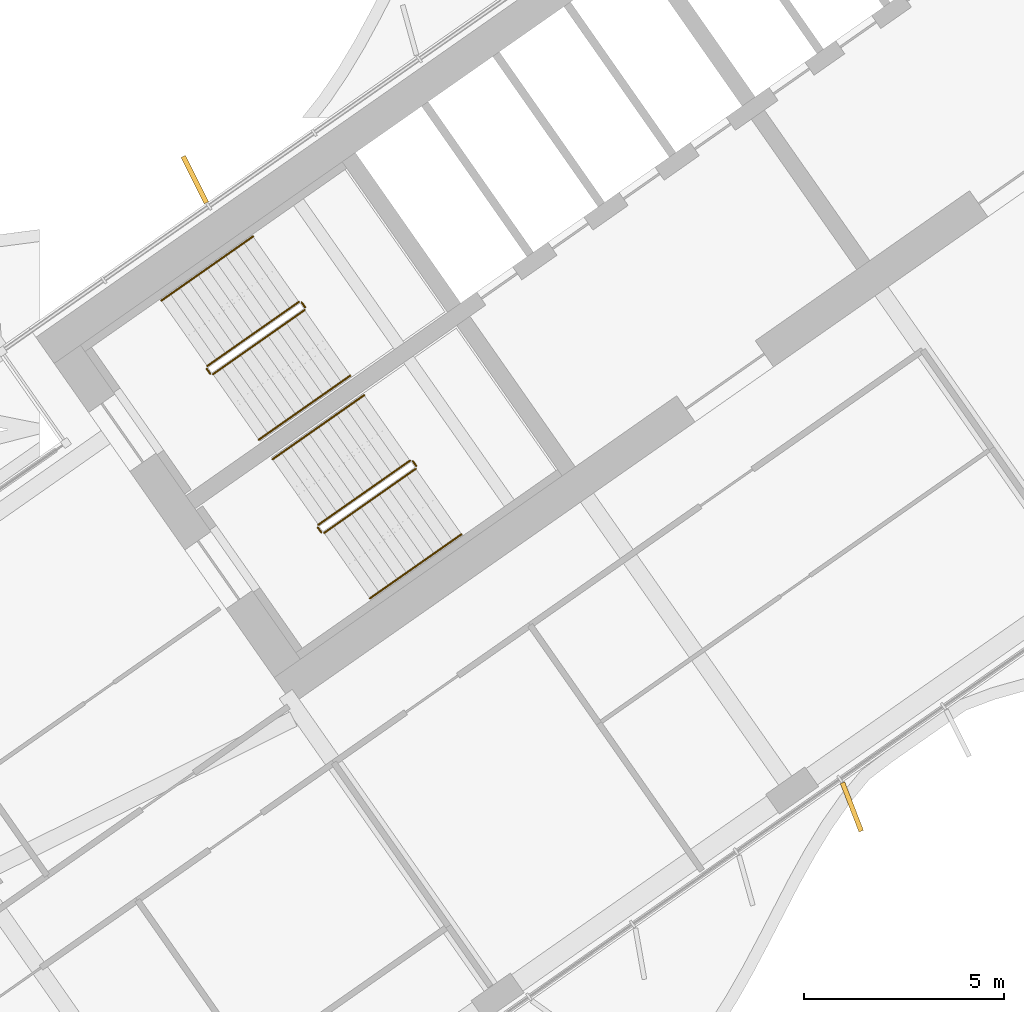
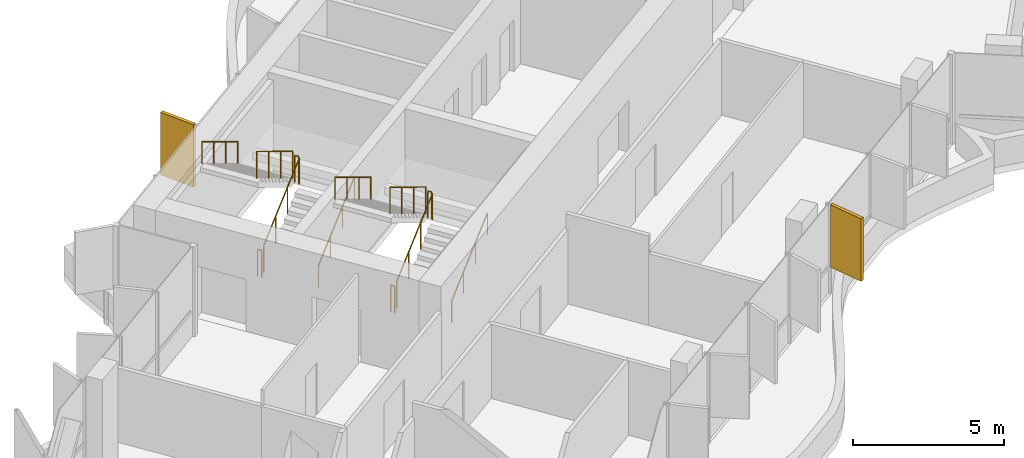
# One storey, part 18 of 21: 12 railings, 2 shading devices.
"""IFC4 building model written with IfcOpenShell, lengths in metres."""

import ifcopenshell
import ifcopenshell.guid

model = None  # the IFC model being written
_history = None  # IfcOwnerHistory: only IFC2X3 demands one
_inside = {}  # id of a spatial element -> (the spatial element, [elements in it])
_under = {}  # id of a project, library or spatial element -> (it, [spatial elements below it])
_declared = {}  # id of a project -> (the project, [libraries it declares])
_typed = {}  # id of a type object -> (the type object, [elements of that type])
_made_of = {}  # id of a material, layer set ... -> (it, [elements and type objects made of it])


def new_model(schema):
    """Start an empty IFC model of exactly this schema.

    Asked for "IFC4X3", IfcOpenShell would pick the latest addendum, in which some entities
    have other attributes; the version numbers below select the first issue.
    IFC2X3 requires an IfcOwnerHistory on every rooted entity: one is made here for all.
    """
    global model, _history
    if schema == "IFC4X3":
        model = ifcopenshell.file(schema_version=(4, 3, 0, 0))
    else:
        model = ifcopenshell.file(schema=schema)
    _inside.clear()
    _under.clear()
    _declared.clear()
    _typed.clear()
    _made_of.clear()
    _history = None
    if model.schema == "IFC2X3":
        org = make("IfcOrganization", Name="unknown")
        user = make(
            "IfcPersonAndOrganization",
            ThePerson=make("IfcPerson", FamilyName="unknown"),
            TheOrganization=org,
        )
        app = make(
            "IfcApplication",
            ApplicationDeveloper=org,
            Version="unknown",
            ApplicationFullName="unknown",
            ApplicationIdentifier="unknown",
        )
        _history = make(
            "IfcOwnerHistory",
            OwningUser=user,
            OwningApplication=app,
            ChangeAction="ADDED",
            CreationDate=0,
        )
    return model


def make(cls, **values):
    """One entity of the class cls with the attributes given. An attribute that is None is left unset."""
    return model.create_entity(
        cls, **{name: value for name, value in values.items() if value is not None}
    )


def rooted(cls, **values):
    """An entity with a GlobalId (a new one), such as an element, a storey or a relation."""
    return make(cls, GlobalId=ifcopenshell.guid.new(), OwnerHistory=_history, **values)


def si_unit(unit_type, name, prefix=None):
    """IfcSIUnit, for example si_unit("LENGTHUNIT", "METRE", prefix="MILLI")."""
    return make("IfcSIUnit", UnitType=unit_type, Prefix=prefix, Name=name)


def assignment(units):
    """IfcUnitAssignment: the units of a project."""
    return None if units is None else make("IfcUnitAssignment", Units=units)


def point(xyz):
    """IfcCartesianPoint."""
    return None if xyz is None else make("IfcCartesianPoint", Coordinates=xyz)


def direction(xyz):
    """IfcDirection."""
    return None if xyz is None else make("IfcDirection", DirectionRatios=xyz)


def frame(location, z_axis=None, x_axis=None):
    """IfcAxis2Placement3D, a coordinate frame: its origin and axes. An axis left out is left unset."""
    return make(
        "IfcAxis2Placement3D",
        Location=point(location),
        Axis=direction(z_axis),
        RefDirection=direction(x_axis),
    )


def frame_2d(location, x_axis=None):
    """IfcAxis2Placement2D, a coordinate frame in the plane: its origin and x axis."""
    return make(
        "IfcAxis2Placement2D", Location=point(location), RefDirection=direction(x_axis)
    )


def origin():
    """The frame at (0, 0, 0) with its axes left unset."""
    return frame((0.0, 0.0, 0.0))


def origin_2d():
    """The frame at (0, 0) in the plane with its x axis left unset."""
    return frame_2d((0.0, 0.0))


def place(relative_to, where):
    """IfcLocalPlacement: puts the frame where relative to a parent placement (None: the world)."""
    return make(
        "IfcLocalPlacement", PlacementRelTo=relative_to, RelativePlacement=where
    )


def context(
    kind, dimensions, precision=None, world=None, true_north=None, identifier=None
):
    """IfcGeometricRepresentationContext, for example the 3D "Model" context."""
    return make(
        "IfcGeometricRepresentationContext",
        ContextIdentifier=identifier,
        ContextType=kind,
        CoordinateSpaceDimension=dimensions,
        Precision=precision,
        WorldCoordinateSystem=world,
        TrueNorth=true_north,
    )


def subcontext(parent, identifier, kind, view, scale=None):
    """IfcGeometricRepresentationSubContext, for example "Body" below "Model"."""
    return make(
        "IfcGeometricRepresentationSubContext",
        ContextIdentifier=identifier,
        ContextType=kind,
        ParentContext=parent,
        TargetScale=scale,
        TargetView=view,
    )


def project(units=None, contexts=None):
    """IfcProject with its units and contexts."""
    return rooted(
        "IfcProject",
        Name="project",
        RepresentationContexts=contexts,
        UnitsInContext=assignment(units),
    )


def spatial(cls, under=None, at=None, **own):
    """A site, building, storey or space (cls), placed at a placement, below another one or the project."""
    s = rooted(cls, ObjectPlacement=at, **own)
    if under is not None:
        _under.setdefault(under.id(), (under, []))[1].append(s)
    return s


def profile(cls, at=None, kind="AREA", **sizes):
    """A parametric profile (cls). Its sizes go by their IFC names, for example OverallWidth=200.0."""
    return make(cls, ProfileType=kind, Position=at, **sizes)


def rectangle(**sizes):
    """IfcRectangleProfileDef."""
    return profile("IfcRectangleProfileDef", **sizes)


def circle(**sizes):
    """IfcCircleProfileDef."""
    return profile("IfcCircleProfileDef", **sizes)


def extrude(swept, where, along, depth):
    """IfcExtrudedAreaSolid: the profile swept, set in the frame where, extruded along a direction by depth."""
    return make(
        "IfcExtrudedAreaSolid",
        SweptArea=swept,
        Position=where,
        ExtrudedDirection=direction(along),
        Depth=depth,
    )


def shape(context_of_items, identifier, shape_type, items):
    """IfcShapeRepresentation: the items that make up one representation, for example the "Body"."""
    return make(
        "IfcShapeRepresentation",
        ContextOfItems=context_of_items,
        RepresentationIdentifier=identifier,
        RepresentationType=shape_type,
        Items=items,
    )


def material(Name=None, Category=None):
    """IfcMaterial."""
    return make("IfcMaterial", Name=Name, Category=Category)


def layer(
    of_material, thickness, ventilated=None, Name=None, Category=None, Priority=None
):
    """IfcMaterialLayer: one layer of a wall or slab, of a material (None: an air gap)."""
    return make(
        "IfcMaterialLayer",
        Material=of_material,
        LayerThickness=thickness,
        IsVentilated=ventilated,
        Name=Name,
        Category=Category,
        Priority=Priority,
    )


def layer_set(layers, Name=None):
    """IfcMaterialLayerSet."""
    return make("IfcMaterialLayerSet", MaterialLayers=layers, LayerSetName=Name)


def made_of(thing, what):
    """Note that an element or type object is made of a material, layer set ...; save() writes the relation."""
    if what is not None:
        _made_of.setdefault(what.id(), (what, []))[1].append(thing)
    return thing


def type_object(cls, material=None, **own):
    """A type object (cls), such as IfcWallType, which elements share."""
    return made_of(rooted(cls, **own), material)


def element(
    cls,
    number,
    at=None,
    inside=None,
    cuts=None,
    type_object=None,
    material=None,
    context=None,
    identifier="Body",
    shape_type=None,
    held_by="IfcProductDefinitionShape",
    body=None,
    shapes=None,
    **own,
):
    """One element of the class cls, such as IfcWall. Its Tag is "e" and its number.

    at: its placement. inside: the storey or other place that contains it. cuts: it is an
    opening in that element (IfcRelVoidsElement). A single representation is given by context,
    identifier, shape_type and body (its items); several are given by shapes. held_by: the class
    of the entity that holds the representations. save() writes the other relations.
    """
    e = rooted(cls, Tag="e%d" % number, ObjectPlacement=at, **own)
    if body is not None:
        shapes = [shape(context, identifier, shape_type, body)]
    if shapes is not None:
        e.Representation = make(held_by, Representations=shapes)
    if inside is not None:
        _inside.setdefault(inside.id(), (inside, []))[1].append(e)
    if cuts is not None:
        rooted(
            "IfcRelVoidsElement", RelatingBuildingElement=cuts, RelatedOpeningElement=e
        )
    if type_object is not None:
        _typed.setdefault(type_object.id(), (type_object, []))[1].append(e)
    return made_of(e, material)


def aggregate(whole, parts):
    """IfcRelAggregates: a whole, such as a stair, and the parts it consists of."""
    return rooted("IfcRelAggregates", RelatingObject=whole, RelatedObjects=parts)


def save(model, path):
    """Write the relations noted so far, then the file.

    IfcRelAggregates (storeys below a building ...), IfcRelContainedInSpatialStructure (elements
    in a storey), IfcRelDefinesByType, IfcRelAssociatesMaterial and IfcRelDeclares: one each for
    every whole, place, type object, material and project.
    """
    for whole, parts in _under.values():
        aggregate(whole, parts)
    for where, things in _inside.values():
        rooted(
            "IfcRelContainedInSpatialStructure",
            RelatedElements=things,
            RelatingStructure=where,
        )
    for kind, things in _typed.values():
        rooted("IfcRelDefinesByType", RelatedObjects=things, RelatingType=kind)
    for what, things in _made_of.values():
        rooted("IfcRelAssociatesMaterial", RelatedObjects=things, RelatingMaterial=what)
    for by, libraries in _declared.values():
        rooted("IfcRelDeclares", RelatingContext=by, RelatedDefinitions=libraries)
    model.write(path)


model = new_model("IFC4")

# Units and contexts
model_context = context("Model", 3, precision=1e-05, world=origin(), true_north=direction((0.0, 1.0)))
body_context = subcontext(model_context, "Body", "Model", "MODEL_VIEW")
ifc_project = project(units=[si_unit("LENGTHUNIT", "METRE"), si_unit("AREAUNIT", "SQUARE_METRE"), si_unit("VOLUMEUNIT", "CUBIC_METRE"), si_unit("PLANEANGLEUNIT", "RADIAN"), si_unit("MASSUNIT", "GRAM", prefix="KILO")], contexts=[model_context])

# Site, building, storey
site_placement = place(None, origin())
site = spatial("IfcSite", under=ifc_project, at=site_placement, CompositionType="ELEMENT")
building_placement = place(site_placement, origin())
building = spatial("IfcBuilding", under=site, at=building_placement, Name="Tel Ilan Convention Tower", CompositionType="ELEMENT")
storey_placement = place(building_placement, frame((0.0, 0.0, 163.199951171875)))
storey = spatial("IfcBuildingStorey", under=building, at=storey_placement, Name="L37", CompositionType="ELEMENT", Elevation=163.199951171875)

# Shading devices
ifc_material_1 = material(Name="Aluminium, bronze anodised", Category="aluminium")
ifc_layer = layer(ifc_material_1, 0.1201171875)
ifc_layer_set = layer_set([ifc_layer], Name="FIN BRONZE 1300x120")
shading_device_type = type_object("IfcShadingDeviceType", Name="FIN BRONZE 1300x120", PredefinedType="USERDEFINED", material=ifc_layer_set)
for number, where, z_axis, x_axis, name in (
    (1, (-23.989990234375, -3.184814453125, 1.10009765625), (0.0, 0.0, 1.0), (-0.448799180206, 0.893632640321, 0.0), "FIN"),
    (2, (-7.543212890625, -18.88720703125, 1.10009765625), (0.0, 0.0, 1.0), (0.360177724803, -0.932883704733, 0.0), "FIN"),
):
    element("IfcShadingDevice", number, at=place(storey_placement, frame(where, z_axis=z_axis, x_axis=x_axis)), inside=storey, type_object=shading_device_type, Name=name, ObjectType="FIN", PredefinedType="USERDEFINED", context=body_context, shape_type="SweptSolid", body=[
        extrude(rectangle(XDim=1.300048828125, YDim=0.1201171875, at=origin_2d()), origin(), (0.0, 0.0, 1.0), 2.52001953125),
    ])

# Railings
ifc_material_2 = material(Name="Stainless Steel Grade 316", Category="steel")
railing_type_1 = type_object("IfcRailingType", Name="Stainless Steel Stair Guard 1100 mm", PredefinedType="GUARDRAIL", material=ifc_material_2)
railing_1_placement = place(storey_placement, frame((-23.535400390625, -8.056396484375, 0.17724609375)))
element("IfcRailing", 3, at=railing_1_placement, inside=storey, type_object=railing_type_1, Name="L37 S1 stair guard 1", PredefinedType="GUARDRAIL", context=body_context, shape_type="SweptSolid", body=[
    extrude(circle(Radius=0.02392578125, at=origin_2d()), frame((0.0, 0.0, 1.076171875), z_axis=(0.692098378994, 0.484653031975, 0.534893701956), x_axis=(-0.573608623498, 0.819129505664, 0.0)), (0.0, 0.0, 1.0), 3.314208984375),
    extrude(circle(Radius=0.02099609375, at=origin_2d()), origin(), (0.0, 0.0, 1.0), 1.052001953125),
    extrude(circle(Radius=0.02099609375, at=origin_2d()), frame((0.7646484375, 0.535400390625, 0.5908203125)), (0.0, 0.0, 1.0), 1.052001953125),
    extrude(circle(Radius=0.02099609375, at=origin_2d()), frame((1.529052734375, 1.07080078125, 1.181884765625)), (0.0, 0.0, 1.0), 1.052001953125),
    extrude(circle(Radius=0.02099609375, at=origin_2d()), frame((2.293701171875, 1.606201171875, 1.772705078125)), (0.0, 0.0, 1.0), 1.052001953125),
])
railing_2_placement = place(storey_placement, frame((-21.2294921875, -6.380615234375, 1.949951171875)))
element("IfcRailing", 4, at=railing_2_placement, inside=storey, type_object=railing_type_1, Name="L37 S1 stair guard 2", PredefinedType="GUARDRAIL", context=body_context, shape_type="SweptSolid", body=[
    extrude(circle(Radius=0.02392578125, at=origin_2d()), frame((0.0, 0.0, 1.076171875), z_axis=(-0.573353020881, 0.819308436089, 0.0), x_axis=(-0.819308436089, -0.573353020881, 0.0)), (0.0, 0.0, 1.0), 0.14990234375),
    extrude(circle(Radius=0.02099609375, at=origin_2d()), origin(), (0.0, 0.0, 1.0), 1.052001953125),
    extrude(circle(Radius=0.02099609375, at=origin_2d()), frame((-0.0859375, 0.122802734375, 0.0)), (0.0, 0.0, 1.0), 1.052001953125),
])
railing_3_placement = place(storey_placement, frame((-21.38525390625, -6.24560546875, 2.12744140625)))
element("IfcRailing", 5, at=railing_3_placement, inside=storey, type_object=railing_type_1, Name="L37 S1 stair guard 3", PredefinedType="GUARDRAIL", context=body_context, shape_type="SweptSolid", body=[
    extrude(circle(Radius=0.02392578125, at=origin_2d()), frame((0.0, 0.0, 1.076171875), z_axis=(-0.692084706163, -0.484621375041, 0.534940073605), x_axis=(0.573591086599, -0.819141785879, 0.0)), (0.0, 0.0, 1.0), 3.313720703125),
    extrude(circle(Radius=0.02099609375, at=origin_2d()), origin(), (0.0, 0.0, 1.0), 1.052001953125),
    extrude(circle(Radius=0.02099609375, at=origin_2d()), frame((-0.764404296875, -0.535400390625, 0.5908203125)), (0.0, 0.0, 1.0), 1.052001953125),
    extrude(circle(Radius=0.02099609375, at=origin_2d()), frame((-1.529052734375, -1.070556640625, 1.181884765625)), (0.0, 0.0, 1.0), 1.052001953125),
    extrude(circle(Radius=0.02099609375, at=origin_2d()), frame((-2.29345703125, -1.60595703125, 1.772705078125)), (0.0, 0.0, 1.0), 1.052001953125),
])
railing_4_placement = place(storey_placement, frame((-23.60498046875, -8.0439453125, 0.0)))
element("IfcRailing", 6, at=railing_4_placement, inside=storey, type_object=railing_type_1, Name="L37 S1 stair guard 4", PredefinedType="GUARDRAIL", context=body_context, shape_type="SweptSolid", body=[
    extrude(circle(Radius=0.02392578125, at=origin_2d()), frame((0.0, 0.0, 1.076171875), z_axis=(-0.574444878118, 0.818543268254, 0.0), x_axis=(-0.818543268254, -0.574444878118, 0.0)), (0.0, 0.0, 1.0), 0.150146484375),
    extrude(circle(Radius=0.02099609375, at=origin_2d()), origin(), (0.0, 0.0, 1.0), 1.052001953125),
    extrude(circle(Radius=0.02099609375, at=origin_2d()), frame((-0.086181640625, 0.122802734375, 0.0)), (0.0, 0.0, 1.0), 1.052001953125),
])
railing_5_placement = place(storey_placement, frame((-20.753662109375, -12.029296875, 0.17724609375)))
element("IfcRailing", 7, at=railing_5_placement, inside=storey, type_object=railing_type_1, Name="L37 S2 stair guard 1", PredefinedType="GUARDRAIL", context=body_context, shape_type="SweptSolid", body=[
    extrude(circle(Radius=0.02392578125, at=origin_2d()), frame((0.0, 0.0, 1.076171875), z_axis=(0.692098378994, 0.484653031975, 0.534893701956), x_axis=(-0.573608623498, 0.819129505664, 0.0)), (0.0, 0.0, 1.0), 3.314208984375),
    extrude(circle(Radius=0.02099609375, at=origin_2d()), origin(), (0.0, 0.0, 1.0), 1.052001953125),
    extrude(circle(Radius=0.02099609375, at=origin_2d()), frame((0.7646484375, 0.535400390625, 0.5908203125)), (0.0, 0.0, 1.0), 1.052001953125),
    extrude(circle(Radius=0.02099609375, at=origin_2d()), frame((1.529052734375, 1.07080078125, 1.181884765625)), (0.0, 0.0, 1.0), 1.052001953125),
    extrude(circle(Radius=0.02099609375, at=origin_2d()), frame((2.293701171875, 1.606201171875, 1.772705078125)), (0.0, 0.0, 1.0), 1.052001953125),
])
railing_6_placement = place(storey_placement, frame((-18.44775390625, -10.353515625, 1.949951171875)))
element("IfcRailing", 8, at=railing_6_placement, inside=storey, type_object=railing_type_1, Name="L37 S2 stair guard 2", PredefinedType="GUARDRAIL", context=body_context, shape_type="SweptSolid", body=[
    extrude(circle(Radius=0.02392578125, at=origin_2d()), frame((0.0, 0.0, 1.076171875), z_axis=(-0.573353020881, 0.819308436089, 0.0), x_axis=(-0.819308436089, -0.573353020881, 0.0)), (0.0, 0.0, 1.0), 0.14990234375),
    extrude(circle(Radius=0.02099609375, at=origin_2d()), origin(), (0.0, 0.0, 1.0), 1.052001953125),
    extrude(circle(Radius=0.02099609375, at=origin_2d()), frame((-0.0859375, 0.122802734375, 0.0)), (0.0, 0.0, 1.0), 1.052001953125),
])
railing_7_placement = place(storey_placement, frame((-18.603271484375, -10.218505859375, 2.12744140625)))
element("IfcRailing", 9, at=railing_7_placement, inside=storey, type_object=railing_type_1, Name="L37 S2 stair guard 3", PredefinedType="GUARDRAIL", context=body_context, shape_type="SweptSolid", body=[
    extrude(circle(Radius=0.02392578125, at=origin_2d()), frame((0.0, 0.0, 1.076171875), z_axis=(-0.692123088272, -0.484596665743, 0.534912798717), x_axis=(0.573550118428, -0.819170471667, 0.0)), (0.0, 0.0, 1.0), 3.31396484375),
    extrude(circle(Radius=0.02099609375, at=origin_2d()), origin(), (0.0, 0.0, 1.0), 1.052001953125),
    extrude(circle(Radius=0.02099609375, at=origin_2d()), frame((-0.7646484375, -0.535400390625, 0.5908203125)), (0.0, 0.0, 1.0), 1.052001953125),
    extrude(circle(Radius=0.02099609375, at=origin_2d()), frame((-1.529052734375, -1.070556640625, 1.181884765625)), (0.0, 0.0, 1.0), 1.052001953125),
    extrude(circle(Radius=0.02099609375, at=origin_2d()), frame((-2.293701171875, -1.60595703125, 1.772705078125)), (0.0, 0.0, 1.0), 1.052001953125),
])
railing_8_placement = place(storey_placement, frame((-20.8232421875, -12.016845703125, 0.0)))
element("IfcRailing", 10, at=railing_8_placement, inside=storey, type_object=railing_type_1, Name="L37 S2 stair guard 4", PredefinedType="GUARDRAIL", context=body_context, shape_type="SweptSolid", body=[
    extrude(circle(Radius=0.02392578125, at=origin_2d()), frame((0.0, 0.0, 1.076171875), z_axis=(-0.573353020881, 0.819308436089, 0.0), x_axis=(-0.819308436089, -0.573353020881, 0.0)), (0.0, 0.0, 1.0), 0.14990234375),
    extrude(circle(Radius=0.02099609375, at=origin_2d()), origin(), (0.0, 0.0, 1.0), 1.052001953125),
    extrude(circle(Radius=0.02099609375, at=origin_2d()), frame((-0.0859375, 0.122802734375, 0.0)), (0.0, 0.0, 1.0), 1.052001953125),
])
ifc_material_3 = material(Name="Stainless Steel Grade 316", Category="steel")
railing_type_2 = type_object("IfcRailingType", Name="Stainless Steel Stair Handrail 900 mm", PredefinedType="HANDRAIL", material=ifc_material_3)
railing_9_placement = place(storey_placement, frame((-22.38818359375, -9.694580078125, 0.17724609375)))
element("IfcRailing", 11, at=railing_9_placement, inside=storey, type_object=railing_type_2, Name="L37 S1 stair handrail 1", PredefinedType="HANDRAIL", context=body_context, shape_type="SweptSolid", body=[
    extrude(circle(Radius=0.02392578125, at=origin_2d()), frame((0.0, 0.0, 0.8759765625), z_axis=(0.692084706163, 0.484621375041, 0.534940073605), x_axis=(-0.573591086599, 0.819141785879, 0.0)), (0.0, 0.0, 1.0), 3.313720703125),
    extrude(circle(Radius=0.02099609375, at=origin_2d()), origin(), (0.0, 0.0, 1.0), 0.851806640625),
    extrude(circle(Radius=0.02099609375, at=origin_2d()), frame((0.764404296875, 0.535400390625, 0.5908203125)), (0.0, 0.0, 1.0), 0.851806640625),
    extrude(circle(Radius=0.02099609375, at=origin_2d()), frame((1.529052734375, 1.070556640625, 1.181884765625)), (0.0, 0.0, 1.0), 0.851806640625),
    extrude(circle(Radius=0.02099609375, at=origin_2d()), frame((2.29345703125, 1.60595703125, 1.772705078125)), (0.0, 0.0, 1.0), 0.851806640625),
])
railing_10_placement = place(storey_placement, frame((-22.5322265625, -4.607177734375, 2.12744140625)))
element("IfcRailing", 12, at=railing_10_placement, inside=storey, type_object=railing_type_2, Name="L37 S1 stair handrail 2", PredefinedType="HANDRAIL", context=body_context, shape_type="SweptSolid", body=[
    extrude(circle(Radius=0.02392578125, at=origin_2d()), frame((0.0, 0.0, 0.8759765625), z_axis=(-0.692123088272, -0.484596665743, 0.534912798717), x_axis=(0.573550118428, -0.819170471667, 0.0)), (0.0, 0.0, 1.0), 3.31396484375),
    extrude(circle(Radius=0.02099609375, at=origin_2d()), origin(), (0.0, 0.0, 1.0), 0.851806640625),
    extrude(circle(Radius=0.02099609375, at=origin_2d()), frame((-0.7646484375, -0.535400390625, 0.5908203125)), (0.0, 0.0, 1.0), 0.851806640625),
    extrude(circle(Radius=0.02099609375, at=origin_2d()), frame((-1.529052734375, -1.070556640625, 1.181884765625)), (0.0, 0.0, 1.0), 0.851806640625),
    extrude(circle(Radius=0.02099609375, at=origin_2d()), frame((-2.293701171875, -1.60595703125, 1.772705078125)), (0.0, 0.0, 1.0), 0.851806640625),
])
railing_11_placement = place(storey_placement, frame((-19.6064453125, -13.66748046875, 0.17724609375)))
element("IfcRailing", 13, at=railing_11_placement, inside=storey, type_object=railing_type_2, Name="L37 S2 stair handrail 1", PredefinedType="HANDRAIL", context=body_context, shape_type="SweptSolid", body=[
    extrude(circle(Radius=0.02392578125, at=origin_2d()), frame((0.0, 0.0, 0.8759765625), z_axis=(0.692123088272, 0.484596665743, 0.534912798717), x_axis=(-0.573550118428, 0.819170471667, 0.0)), (0.0, 0.0, 1.0), 3.31396484375),
    extrude(circle(Radius=0.02099609375, at=origin_2d()), origin(), (0.0, 0.0, 1.0), 0.851806640625),
    extrude(circle(Radius=0.02099609375, at=origin_2d()), frame((0.7646484375, 0.535400390625, 0.5908203125)), (0.0, 0.0, 1.0), 0.851806640625),
    extrude(circle(Radius=0.02099609375, at=origin_2d()), frame((1.529052734375, 1.070556640625, 1.181884765625)), (0.0, 0.0, 1.0), 0.851806640625),
    extrude(circle(Radius=0.02099609375, at=origin_2d()), frame((2.293701171875, 1.60595703125, 1.772705078125)), (0.0, 0.0, 1.0), 0.851806640625),
])
railing_12_placement = place(storey_placement, frame((-19.75048828125, -8.580078125, 2.12744140625)))
element("IfcRailing", 14, at=railing_12_placement, inside=storey, type_object=railing_type_2, Name="L37 S2 stair handrail 2", PredefinedType="HANDRAIL", context=body_context, shape_type="SweptSolid", body=[
    extrude(circle(Radius=0.02392578125, at=origin_2d()), frame((0.0, 0.0, 0.8759765625), z_axis=(-0.692123088272, -0.484596665743, 0.534912798717), x_axis=(0.573550118428, -0.819170471667, 0.0)), (0.0, 0.0, 1.0), 3.31396484375),
    extrude(circle(Radius=0.02099609375, at=origin_2d()), origin(), (0.0, 0.0, 1.0), 0.851806640625),
    extrude(circle(Radius=0.02099609375, at=origin_2d()), frame((-0.7646484375, -0.535400390625, 0.5908203125)), (0.0, 0.0, 1.0), 0.851806640625),
    extrude(circle(Radius=0.02099609375, at=origin_2d()), frame((-1.529052734375, -1.070556640625, 1.181884765625)), (0.0, 0.0, 1.0), 0.851806640625),
    extrude(circle(Radius=0.02099609375, at=origin_2d()), frame((-2.293701171875, -1.60595703125, 1.772705078125)), (0.0, 0.0, 1.0), 0.851806640625),
])

save(model, "model.ifc")
